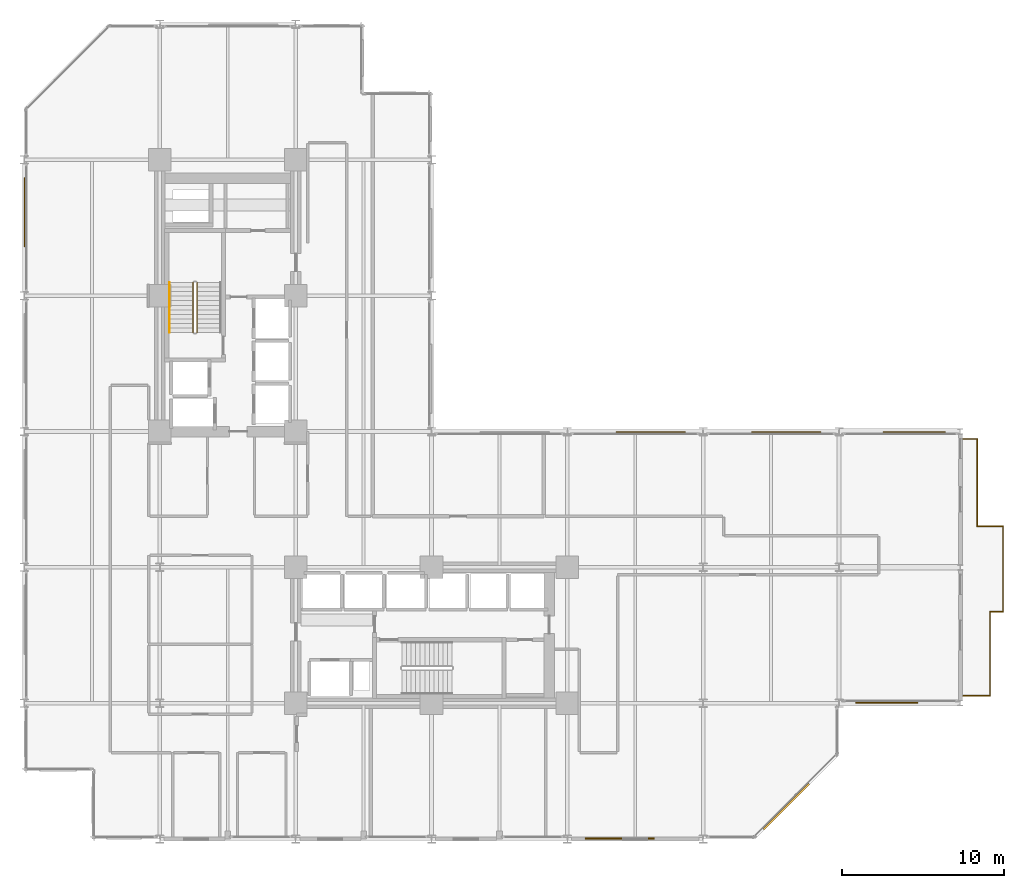
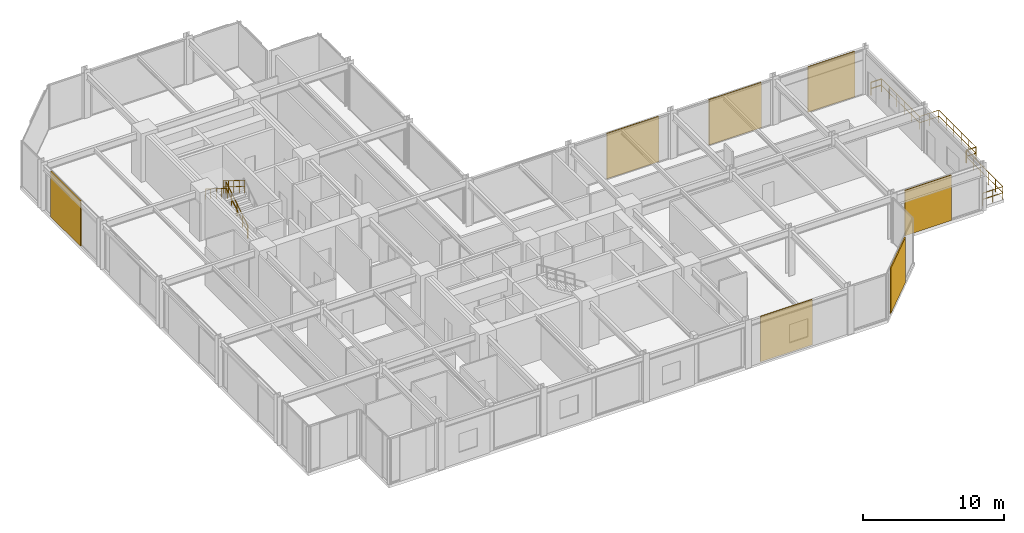
# One storey, part 25 of 26: 10 railings, 7 coverings.
"""IFC4 building model written with IfcOpenShell, lengths in metres."""

from ifc_helpers import new_model, si_unit, direction, frame, origin, origin_2d, place, context, subcontext, project, spatial, rectangle, circle, extrude, material, layer, layer_set, type_object, element, save


model = new_model("IFC4")

# Units and contexts
model_context = context("Model", 3, precision=1e-05, world=origin(), true_north=direction((0.0, 1.0)))
body_context = subcontext(model_context, "Body", "Model", "MODEL_VIEW")
ifc_project = project(units=[si_unit("LENGTHUNIT", "METRE"), si_unit("AREAUNIT", "SQUARE_METRE"), si_unit("VOLUMEUNIT", "CUBIC_METRE"), si_unit("PLANEANGLEUNIT", "RADIAN"), si_unit("MASSUNIT", "GRAM", prefix="KILO")], contexts=[model_context])

# Site, building, storey
site_placement = place(None, origin())
site = spatial("IfcSite", under=ifc_project, at=site_placement, CompositionType="ELEMENT")
building_placement = place(site_placement, origin())
building = spatial("IfcBuilding", under=site, at=building_placement, Name="Nerrivon Quay Data Exchange", CompositionType="ELEMENT")
storey_placement = place(building_placement, frame((0.0, 0.0, 71.0)))
storey = spatial("IfcBuildingStorey", under=building, at=storey_placement, Name="L16", CompositionType="ELEMENT", Elevation=71.0)

# Coverings
ifc_material_1 = material(Name="Architectural terracotta ceramic", Category="masonry")
ifc_layer = layer(ifc_material_1, 0.090087890625)
ifc_layer_set = layer_set([ifc_layer], Name="Architectural terracotta ceramic")
covering_type = type_object("IfcCoveringType", Name="COV-SCR-TERR", PredefinedType="CLADDING", material=ifc_layer_set)
covering_1_placement = place(storey_placement, frame((53.345947265625, 8.445068359375, 0.0), z_axis=(0.0, 0.0, 1.0), x_axis=(-1.0, 0.0, 0.0)))
element("IfcCovering", 1, at=covering_1_placement, inside=storey, type_object=covering_type, Name="L16 Perforated Terracotta SOLAR SCREEN Cassette", PredefinedType="CLADDING", context=body_context, shape_type="SweptSolid", body=[
    extrude(rectangle(XDim=3.8310546875, YDim=0.090087890625, at=origin_2d()), origin(), (0.0, 0.0, 1.0), 3.925048828125),
])
covering_2_placement = place(storey_placement, frame((47.144287109375, 2.0078125, 0.0), z_axis=(0.0, 0.0, 1.0), x_axis=(-0.707106781187, -0.707106781187, 0.0)))
element("IfcCovering", 2, at=covering_2_placement, inside=storey, type_object=covering_type, Name="L16 Perforated Terracotta SOLAR SCREEN Cassette", PredefinedType="CLADDING", context=body_context, shape_type="SweptSolid", body=[
    extrude(rectangle(XDim=3.970947265625, YDim=0.090087890625, at=origin_2d()), origin(), (0.0, 0.0, 1.0), 3.925048828125),
])
for number, where, z_axis, x_axis, name in (
    (3, (36.85205078125, 0.044921875, 0.0), (0.0, 0.0, 1.0), (-1.0, 0.0, 0.0), "L16 Perforated Terracotta SOLAR SCREEN Cassette"),
    (4, (0.044921875, 38.748046875, 0.0), (0.0, 0.0, 1.0), (0.0, 1.0, 0.0), "L16 Perforated Terracotta SOLAR SCREEN Cassette"),
    (5, (38.748046875, 25.155029296875, 0.0), (0.0, 0.0, 1.0), (1.0, 0.0, 0.0), "L16 Perforated Terracotta SOLAR SCREEN Cassette"),
    (6, (47.14794921875, 25.155029296875, 0.0), (0.0, 0.0, 1.0), (1.0, 0.0, 0.0), "L16 Perforated Terracotta SOLAR SCREEN Cassette"),
):
    element("IfcCovering", number, at=place(storey_placement, frame(where, z_axis=z_axis, x_axis=x_axis)), inside=storey, type_object=covering_type, Name=name, PredefinedType="CLADDING", context=body_context, shape_type="SweptSolid", body=[
        extrude(rectangle(XDim=4.26611328125, YDim=0.090087890625, at=origin_2d()), origin(), (0.0, 0.0, 1.0), 3.925048828125),
    ])
covering_3_placement = place(storey_placement, frame((55.048583984375, 25.155029296875, 0.0), z_axis=(0.0, 0.0, 1.0), x_axis=(1.0, 0.0, 0.0)))
element("IfcCovering", 7, at=covering_3_placement, inside=storey, type_object=covering_type, Name="L16 Perforated Terracotta SOLAR SCREEN Cassette", PredefinedType="CLADDING", context=body_context, shape_type="SweptSolid", body=[
    extrude(rectangle(XDim=3.8310546875, YDim=0.090087890625, at=origin_2d()), origin(), (0.0, 0.0, 1.0), 3.925048828125),
])

# Railings
ifc_material_2 = material(Name="Steel Grade C350L0 (350 MPa)", Category="steel")
railing_type_1 = type_object("IfcRailingType", Name="RAIL-GUARD-GR2", PredefinedType="BALUSTRADE", material=ifc_material_2)
railing_1_placement = place(storey_placement, frame((59.739990234375, 14.06005859375, 0.0)))
element("IfcRailing", 8, at=railing_1_placement, inside=storey, type_object=railing_type_1, Name="L16 Verandah Balcony Guard 1.1 1", PredefinedType="BALUSTRADE", context=body_context, shape_type="SweptSolid", body=[
    extrude(circle(Radius=0.02392578125, at=origin_2d()), frame((0.0, 0.0, 1.09619140625), z_axis=(0.0, -1.0, 0.0), x_axis=(1.0, 0.0, 0.0)), (0.0, 0.0, 1.0), 5.199951171875),
    extrude(circle(Radius=0.02392578125, at=origin_2d()), frame((0.0, 0.0, 0.56005859375), z_axis=(0.0, -1.0, 0.0), x_axis=(1.0, 0.0, 0.0)), (0.0, 0.0, 1.0), 5.199951171875),
    extrude(circle(Radius=0.02099609375, at=origin_2d()), origin(), (0.0, 0.0, 1.0), 1.072021484375),
    extrude(circle(Radius=0.02099609375, at=origin_2d()), frame((0.0, -1.0400390625, 0.0)), (0.0, 0.0, 1.0), 1.072021484375),
    extrude(circle(Radius=0.02099609375, at=origin_2d()), frame((0.0, -2.080078125, 0.0)), (0.0, 0.0, 1.0), 1.072021484375),
    extrude(circle(Radius=0.02099609375, at=origin_2d()), frame((0.0, -3.119873046875, 0.0)), (0.0, 0.0, 1.0), 1.072021484375),
    extrude(circle(Radius=0.02099609375, at=origin_2d()), frame((0.0, -4.159912109375, 0.0)), (0.0, 0.0, 1.0), 1.072021484375),
    extrude(circle(Radius=0.02099609375, at=origin_2d()), frame((0.0, -5.199951171875, 0.0)), (0.0, 0.0, 1.0), 1.072021484375),
])
railing_2_placement = place(storey_placement, frame((59.739990234375, 8.860107421875, 0.0)))
element("IfcRailing", 9, at=railing_2_placement, inside=storey, type_object=railing_type_1, Name="L16 Verandah Balcony Guard 1.2 1", PredefinedType="BALUSTRADE", context=body_context, shape_type="SweptSolid", body=[
    extrude(circle(Radius=0.02392578125, at=origin_2d()), frame((0.0, 0.0, 1.09619140625), z_axis=(-1.0, 0.0, 0.0), x_axis=(0.0, -1.0, 0.0)), (0.0, 0.0, 1.0), 1.659912109375),
    extrude(circle(Radius=0.02392578125, at=origin_2d()), frame((0.0, 0.0, 0.56005859375), z_axis=(-1.0, 0.0, 0.0), x_axis=(0.0, -1.0, 0.0)), (0.0, 0.0, 1.0), 1.659912109375),
    extrude(circle(Radius=0.02099609375, at=origin_2d()), origin(), (0.0, 0.0, 1.0), 1.072021484375),
    extrude(circle(Radius=0.02099609375, at=origin_2d()), frame((-0.830078125, 0.0, 0.0)), (0.0, 0.0, 1.0), 1.072021484375),
    extrude(circle(Radius=0.02099609375, at=origin_2d()), frame((-1.659912109375, 0.0, 0.0)), (0.0, 0.0, 1.0), 1.072021484375),
])
railing_3_placement = place(storey_placement, frame((58.080078125, 24.739990234375, 0.0)))
element("IfcRailing", 10, at=railing_3_placement, inside=storey, type_object=railing_type_1, Name="L16 Verandah Balcony Guard 1.3 1", PredefinedType="BALUSTRADE", context=body_context, shape_type="SweptSolid", body=[
    extrude(circle(Radius=0.02392578125, at=origin_2d()), frame((0.0, 0.0, 1.09619140625), z_axis=(1.0, 0.0, 0.0), x_axis=(0.0, 1.0, 0.0)), (0.0, 0.0, 1.0), 0.85986328125),
    extrude(circle(Radius=0.02392578125, at=origin_2d()), frame((0.0, 0.0, 0.56005859375), z_axis=(1.0, 0.0, 0.0), x_axis=(0.0, 1.0, 0.0)), (0.0, 0.0, 1.0), 0.85986328125),
    extrude(circle(Radius=0.02099609375, at=origin_2d()), origin(), (0.0, 0.0, 1.0), 1.072021484375),
    extrude(circle(Radius=0.02099609375, at=origin_2d()), frame((0.85986328125, 0.0, 0.0)), (0.0, 0.0, 1.0), 1.072021484375),
])
railing_4_placement = place(storey_placement, frame((58.93994140625, 24.739990234375, 0.0)))
element("IfcRailing", 11, at=railing_4_placement, inside=storey, type_object=railing_type_1, Name="L16 Verandah Balcony Guard 1.4 1", PredefinedType="BALUSTRADE", context=body_context, shape_type="SweptSolid", body=[
    extrude(circle(Radius=0.02392578125, at=origin_2d()), frame((0.0, 0.0, 1.09619140625), z_axis=(0.0, -1.0, 0.0), x_axis=(1.0, 0.0, 0.0)), (0.0, 0.0, 1.0), 5.39990234375),
    extrude(circle(Radius=0.02392578125, at=origin_2d()), frame((0.0, 0.0, 0.56005859375), z_axis=(0.0, -1.0, 0.0), x_axis=(1.0, 0.0, 0.0)), (0.0, 0.0, 1.0), 5.39990234375),
    extrude(circle(Radius=0.02099609375, at=origin_2d()), origin(), (0.0, 0.0, 1.0), 1.072021484375),
    extrude(circle(Radius=0.02099609375, at=origin_2d()), frame((0.0, -1.080078125, 0.0)), (0.0, 0.0, 1.0), 1.072021484375),
    extrude(circle(Radius=0.02099609375, at=origin_2d()), frame((0.0, -2.159912109375, 0.0)), (0.0, 0.0, 1.0), 1.072021484375),
    extrude(circle(Radius=0.02099609375, at=origin_2d()), frame((0.0, -3.239990234375, 0.0)), (0.0, 0.0, 1.0), 1.072021484375),
    extrude(circle(Radius=0.02099609375, at=origin_2d()), frame((0.0, -4.31982421875, 0.0)), (0.0, 0.0, 1.0), 1.072021484375),
    extrude(circle(Radius=0.02099609375, at=origin_2d()), frame((0.0, -5.39990234375, 0.0)), (0.0, 0.0, 1.0), 1.072021484375),
])
railing_5_placement = place(storey_placement, frame((58.93994140625, 19.340087890625, 0.0)))
element("IfcRailing", 12, at=railing_5_placement, inside=storey, type_object=railing_type_1, Name="L16 Verandah Balcony Guard 1.5 1", PredefinedType="BALUSTRADE", context=body_context, shape_type="SweptSolid", body=[
    extrude(circle(Radius=0.02392578125, at=origin_2d()), frame((0.0, 0.0, 1.09619140625), z_axis=(1.0, 0.0, 0.0), x_axis=(0.0, 1.0, 0.0)), (0.0, 0.0, 1.0), 1.60009765625),
    extrude(circle(Radius=0.02392578125, at=origin_2d()), frame((0.0, 0.0, 0.56005859375), z_axis=(1.0, 0.0, 0.0), x_axis=(0.0, 1.0, 0.0)), (0.0, 0.0, 1.0), 1.60009765625),
    extrude(circle(Radius=0.02099609375, at=origin_2d()), origin(), (0.0, 0.0, 1.0), 1.072021484375),
    extrude(circle(Radius=0.02099609375, at=origin_2d()), frame((0.800048828125, 0.0, 0.0)), (0.0, 0.0, 1.0), 1.072021484375),
    extrude(circle(Radius=0.02099609375, at=origin_2d()), frame((1.60009765625, 0.0, 0.0)), (0.0, 0.0, 1.0), 1.072021484375),
])
railing_6_placement = place(storey_placement, frame((60.5400390625, 19.340087890625, 0.0)))
element("IfcRailing", 13, at=railing_6_placement, inside=storey, type_object=railing_type_1, Name="L16 Verandah Balcony Guard 1.6 1", PredefinedType="BALUSTRADE", context=body_context, shape_type="SweptSolid", body=[
    extrude(circle(Radius=0.02392578125, at=origin_2d()), frame((0.0, 0.0, 1.09619140625), z_axis=(0.0, -1.0, 0.0), x_axis=(1.0, 0.0, 0.0)), (0.0, 0.0, 1.0), 5.280029296875),
    extrude(circle(Radius=0.02392578125, at=origin_2d()), frame((0.0, 0.0, 0.56005859375), z_axis=(0.0, -1.0, 0.0), x_axis=(1.0, 0.0, 0.0)), (0.0, 0.0, 1.0), 5.280029296875),
    extrude(circle(Radius=0.02099609375, at=origin_2d()), origin(), (0.0, 0.0, 1.0), 1.072021484375),
    extrude(circle(Radius=0.02099609375, at=origin_2d()), frame((0.0, -1.055908203125, 0.0)), (0.0, 0.0, 1.0), 1.072021484375),
    extrude(circle(Radius=0.02099609375, at=origin_2d()), frame((0.0, -2.112060546875, 0.0)), (0.0, 0.0, 1.0), 1.072021484375),
    extrude(circle(Radius=0.02099609375, at=origin_2d()), frame((0.0, -3.16796875, 0.0)), (0.0, 0.0, 1.0), 1.072021484375),
    extrude(circle(Radius=0.02099609375, at=origin_2d()), frame((0.0, -4.22412109375, 0.0)), (0.0, 0.0, 1.0), 1.072021484375),
    extrude(circle(Radius=0.02099609375, at=origin_2d()), frame((0.0, -5.280029296875, 0.0)), (0.0, 0.0, 1.0), 1.072021484375),
])
railing_7_placement = place(storey_placement, frame((60.5400390625, 14.06005859375, 0.0)))
element("IfcRailing", 14, at=railing_7_placement, inside=storey, type_object=railing_type_1, Name="L16 Verandah Balcony Guard 1.7 1", PredefinedType="BALUSTRADE", context=body_context, shape_type="SweptSolid", body=[
    extrude(circle(Radius=0.02392578125, at=origin_2d()), frame((0.0, 0.0, 1.09619140625), z_axis=(-1.0, 0.0, 0.0), x_axis=(0.0, -1.0, 0.0)), (0.0, 0.0, 1.0), 0.800048828125),
    extrude(circle(Radius=0.02392578125, at=origin_2d()), frame((0.0, 0.0, 0.56005859375), z_axis=(-1.0, 0.0, 0.0), x_axis=(0.0, -1.0, 0.0)), (0.0, 0.0, 1.0), 0.800048828125),
    extrude(circle(Radius=0.02099609375, at=origin_2d()), origin(), (0.0, 0.0, 1.0), 1.072021484375),
    extrude(circle(Radius=0.02099609375, at=origin_2d()), frame((-0.800048828125, 0.0, 0.0)), (0.0, 0.0, 1.0), 1.072021484375),
])
railing_type_2 = type_object("IfcRailingType", Name="RAIL-HAND-HR1", PredefinedType="HANDRAIL", material=ifc_material_2)
railing_8_placement = place(storey_placement, frame((9.0, 34.409912109375, 2.27490234375)))
element("IfcRailing", 15, at=railing_8_placement, inside=storey, type_object=railing_type_2, Name="L16 ST01 stair handrail 2", PredefinedType="HANDRAIL", context=body_context, shape_type="SweptSolid", body=[
    extrude(circle(Radius=0.02392578125, at=origin_2d()), frame((0.0, 0.0, 0.8759765625), z_axis=(0.0, -0.847979421464, 0.530029150871), x_axis=(1.0, 0.0, 0.0)), (0.0, 0.0, 1.0), 3.632080078125),
    extrude(circle(Radius=0.02099609375, at=origin_2d()), origin(), (0.0, 0.0, 1.0), 0.851806640625),
    extrude(circle(Radius=0.02099609375, at=origin_2d()), frame((0.0, -0.77001953125, 0.481201171875)), (0.0, 0.0, 1.0), 0.851806640625),
    extrude(circle(Radius=0.02099609375, at=origin_2d()), frame((0.0, -1.5400390625, 0.96240234375)), (0.0, 0.0, 1.0), 0.851806640625),
    extrude(circle(Radius=0.02099609375, at=origin_2d()), frame((0.0, -2.309814453125, 1.44384765625)), (0.0, 0.0, 1.0), 0.851806640625),
    extrude(circle(Radius=0.02099609375, at=origin_2d()), frame((0.0, -3.079833984375, 1.925048828125)), (0.0, 0.0, 1.0), 0.851806640625),
])
railing_type_3 = type_object("IfcRailingType", Name="RAIL-STAIR-GR1", PredefinedType="BALUSTRADE", material=ifc_material_2)
railing_9_placement = place(storey_placement, frame((10.699951171875, 31.330078125, 0.175048828125)))
element("IfcRailing", 16, at=railing_9_placement, inside=storey, type_object=railing_type_3, Name="L16 ST01 stair guard 1", PredefinedType="BALUSTRADE", context=body_context, shape_type="SweptSolid", body=[
    extrude(circle(Radius=0.02392578125, at=origin_2d()), frame((0.0, 0.0, 1.076171875), z_axis=(0.0, 0.847979421464, 0.530029150871), x_axis=(-1.0, 0.0, 0.0)), (0.0, 0.0, 1.0), 3.632080078125),
    extrude(circle(Radius=0.02392578125, at=origin_2d()), frame((0.0, 0.0, 0.550048828125), z_axis=(0.0, 0.847979421464, 0.530029150871), x_axis=(-1.0, 0.0, 0.0)), (0.0, 0.0, 1.0), 3.632080078125),
    extrude(circle(Radius=0.02099609375, at=origin_2d()), origin(), (0.0, 0.0, 1.0), 1.052001953125),
    extrude(circle(Radius=0.02099609375, at=origin_2d()), frame((0.0, 0.77001953125, 0.481201171875)), (0.0, 0.0, 1.0), 1.052001953125),
    extrude(circle(Radius=0.02099609375, at=origin_2d()), frame((0.0, 1.5400390625, 0.96240234375)), (0.0, 0.0, 1.0), 1.052001953125),
    extrude(circle(Radius=0.02099609375, at=origin_2d()), frame((0.0, 2.309814453125, 1.44384765625)), (0.0, 0.0, 1.0), 1.052001953125),
    extrude(circle(Radius=0.02099609375, at=origin_2d()), frame((0.0, 3.079833984375, 1.925048828125)), (0.0, 0.0, 1.0), 1.052001953125),
])
railing_10_placement = place(storey_placement, frame((10.449951171875, 34.409912109375, 2.27490234375)))
element("IfcRailing", 17, at=railing_10_placement, inside=storey, type_object=railing_type_3, Name="L16 ST01 stair guard 3", PredefinedType="BALUSTRADE", context=body_context, shape_type="SweptSolid", body=[
    extrude(circle(Radius=0.02392578125, at=origin_2d()), frame((0.0, 0.0, 1.076171875), z_axis=(0.0, -0.847979421464, 0.530029150871), x_axis=(1.0, 0.0, 0.0)), (0.0, 0.0, 1.0), 3.632080078125),
    extrude(circle(Radius=0.02392578125, at=origin_2d()), frame((0.0, 0.0, 0.550048828125), z_axis=(0.0, -0.847979421464, 0.530029150871), x_axis=(1.0, 0.0, 0.0)), (0.0, 0.0, 1.0), 3.632080078125),
    extrude(circle(Radius=0.02099609375, at=origin_2d()), origin(), (0.0, 0.0, 1.0), 1.052001953125),
    extrude(circle(Radius=0.02099609375, at=origin_2d()), frame((0.0, -0.77001953125, 0.481201171875)), (0.0, 0.0, 1.0), 1.052001953125),
    extrude(circle(Radius=0.02099609375, at=origin_2d()), frame((0.0, -1.5400390625, 0.96240234375)), (0.0, 0.0, 1.0), 1.052001953125),
    extrude(circle(Radius=0.02099609375, at=origin_2d()), frame((0.0, -2.309814453125, 1.44384765625)), (0.0, 0.0, 1.0), 1.052001953125),
    extrude(circle(Radius=0.02099609375, at=origin_2d()), frame((0.0, -3.079833984375, 1.925048828125)), (0.0, 0.0, 1.0), 1.052001953125),
])

save(model, "model.ifc")
